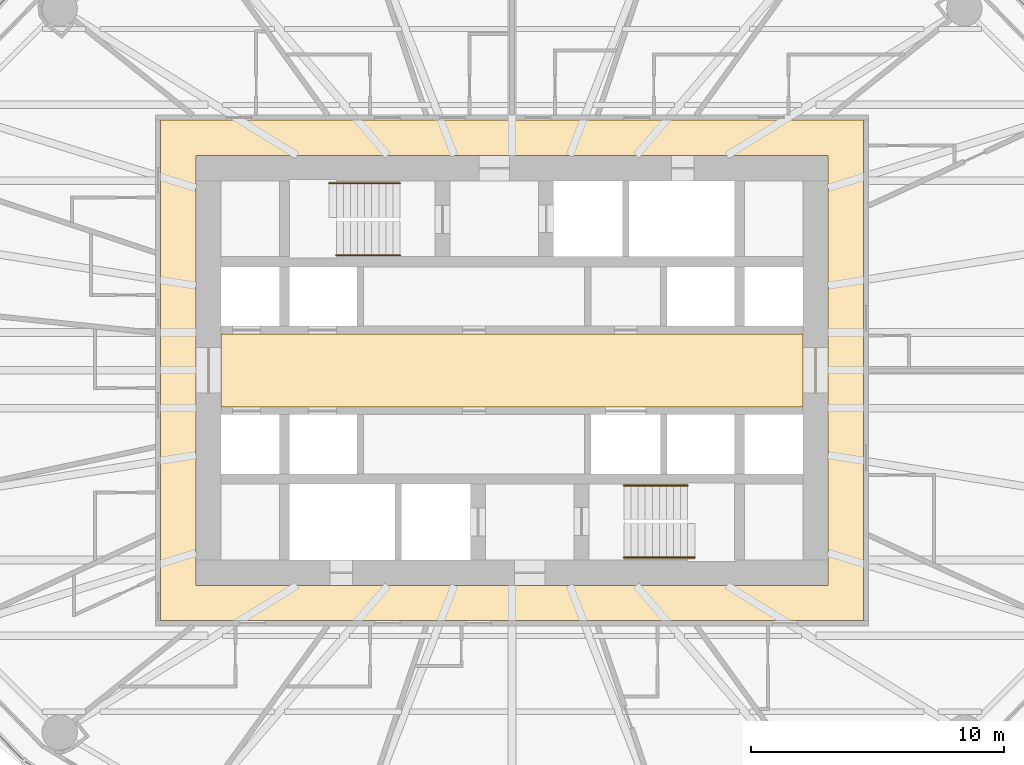
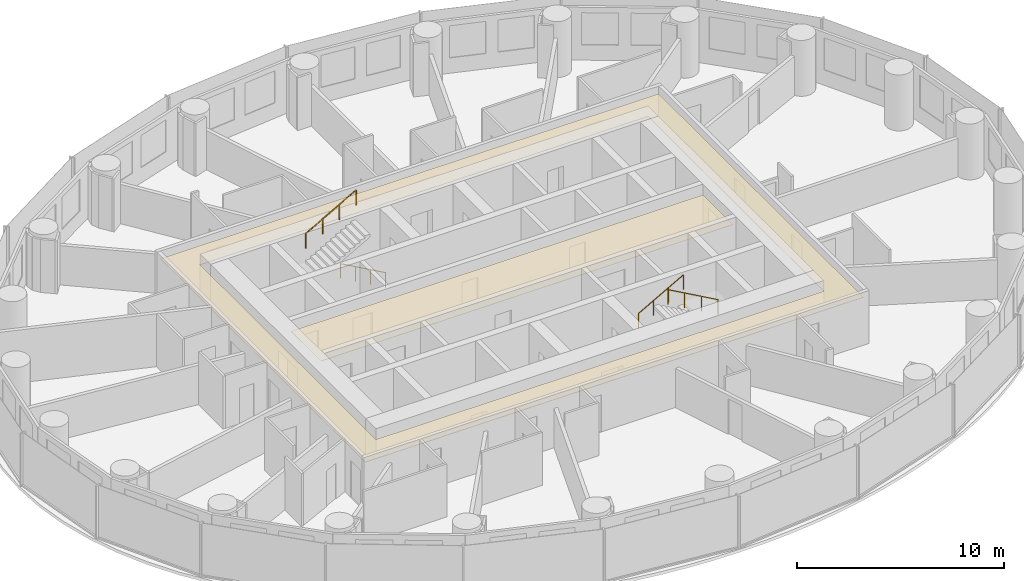
# One storey, part 13 of 13: 4 railings, 2 coverings.
"""IFC4 building model written with IfcOpenShell, lengths in metres."""

from ifc_helpers import new_model, si_unit, direction, frame, origin, origin_2d, place, context, subcontext, project, spatial, polyline, circle, outline, extrude, material, layer, layer_set, type_object, element, save


model = new_model("IFC4")

# Units and contexts
model_context = context("Model", 3, precision=1e-05, world=origin(), true_north=direction((0.0, 1.0)))
body_context = subcontext(model_context, "Body", "Model", "MODEL_VIEW")
ifc_project = project(units=[si_unit("LENGTHUNIT", "METRE"), si_unit("AREAUNIT", "SQUARE_METRE"), si_unit("VOLUMEUNIT", "CUBIC_METRE"), si_unit("PLANEANGLEUNIT", "RADIAN"), si_unit("MASSUNIT", "GRAM", prefix="KILO")], contexts=[model_context])

# Site, building, storey
site_placement = place(None, origin())
site = spatial("IfcSite", under=ifc_project, at=site_placement, CompositionType="ELEMENT")
building_placement = place(site_placement, origin())
building = spatial("IfcBuilding", under=site, at=building_placement, Name="Hankou Lantern Tower", CompositionType="ELEMENT")
storey_placement = place(building_placement, frame((0.0, 0.0, 83.699951171875)))
storey = spatial("IfcBuildingStorey", under=building, at=storey_placement, Name="L21", CompositionType="ELEMENT", Elevation=83.699951171875)

# Coverings
ifc_material_1 = material(Name="Black painted aluminium linear ceiling panels", Category="aluminium")
ifc_layer_1 = layer(ifc_material_1, 0.02490234375)
ifc_layer_set_1 = layer_set([ifc_layer_1], Name="Black painted aluminium linear ceiling panels")
covering_type_1 = type_object("IfcCoveringType", Name="CL1 CORRIDOR CEILING 25", PredefinedType="CEILING", material=ifc_layer_set_1)
covering_1_placement = place(storey_placement, frame((0.0, 0.0, 2.64501953125)))
element("IfcCovering", 1, at=covering_1_placement, inside=storey, type_object=covering_type_1, Name="Corridor ceiling L21", PredefinedType="CEILING", context=body_context, shape_type="SweptSolid", body=[
    extrude(outline(polyline([(-13.89990234375, -9.89990234375), (13.89990234375, -9.89990234375), (13.89990234375, 9.89990234375), (-13.89990234375, 9.89990234375), (-13.89990234375, -9.89990234375)]), holes=[polyline([(-12.5, 8.5), (12.5, 8.5), (12.5, -8.5), (-12.5, -8.5), (-12.5, 8.5)])]), origin(), (0.0, 0.0, 1.0), 0.025146484375),
])
ifc_material_2 = material(Name="Perforated black aluminium acoustic tray ceiling", Category="aluminium")
ifc_layer_2 = layer(ifc_material_2, 0.014892578125)
ifc_layer_set_2 = layer_set([ifc_layer_2], Name="Perforated black aluminium acoustic tray ceiling")
covering_type_2 = type_object("IfcCoveringType", Name="CL2 LIFT LOBBY CEILING 15", PredefinedType="CEILING", material=ifc_layer_set_2)
covering_2_placement = place(storey_placement, frame((0.0, 0.0, 2.655029296875)))
element("IfcCovering", 2, at=covering_2_placement, inside=storey, type_object=covering_type_2, Name="Lift lobby ceiling L21", PredefinedType="CEILING", context=body_context, shape_type="SweptSolid", body=[
    extrude(outline(polyline([(-11.5, -1.449951171875), (11.5, -1.449951171875), (11.5, 1.449951171875), (-11.5, 1.449951171875), (-11.5, -1.449951171875)])), origin(), (0.0, 0.0, 1.0), 0.01513671875),
])

# Railings
ifc_material_3 = material(Name="Steel handrail", Category="steel")
railing_type = type_object("IfcRailingType", Name="HR1 STAIR HANDRAIL", PredefinedType="HANDRAIL", material=ifc_material_3)
railing_1_placement = place(storey_placement, frame((-4.429931640625, 4.550048828125, 0.900146484375)))
element("IfcRailing", 3, at=railing_1_placement, inside=storey, type_object=railing_type, Name="Handrail stair STA L21 flight 1", PredefinedType="HANDRAIL", context=body_context, shape_type="SweptSolid", body=[
    extrude(circle(Radius=0.02392578125, at=origin_2d()), frame((0.0, 0.0, 0.8759765625), z_axis=(-0.872048945198, 0.0, 0.489418672692), x_axis=(0.0, -1.0, 0.0)), (0.0, 0.0, 1.0), 2.8896484375),
    extrude(circle(Radius=0.02099609375, at=origin_2d()), origin(), (0.0, 0.0, 1.0), 0.851806640625),
    extrude(circle(Radius=0.02099609375, at=origin_2d()), frame((-0.840087890625, 0.0, 0.471435546875)), (0.0, 0.0, 1.0), 0.851806640625),
    extrude(circle(Radius=0.02099609375, at=origin_2d()), frame((-1.679931640625, 0.0, 0.94287109375)), (0.0, 0.0, 1.0), 0.851806640625),
    extrude(circle(Radius=0.02099609375, at=origin_2d()), frame((-2.52001953125, 0.0, 1.414306640625)), (0.0, 0.0, 1.0), 0.851806640625),
])
railing_2_placement = place(storey_placement, frame((-7.22998046875, 7.39990234375, 2.471435546875)))
element("IfcRailing", 4, at=railing_2_placement, inside=storey, type_object=railing_type, Name="Handrail stair STA L21 flight 2", PredefinedType="HANDRAIL", context=body_context, shape_type="SweptSolid", body=[
    extrude(circle(Radius=0.02392578125, at=origin_2d()), frame((0.0, 0.0, 0.8759765625), z_axis=(0.872040151574, 0.0, 0.489434340891), x_axis=(0.0, 1.0, 0.0)), (0.0, 0.0, 1.0), 3.2109375),
    extrude(circle(Radius=0.02099609375, at=origin_2d()), origin(), (0.0, 0.0, 1.0), 0.851806640625),
    extrude(circle(Radius=0.02099609375, at=origin_2d()), frame((0.933349609375, 0.0, 0.52392578125)), (0.0, 0.0, 1.0), 0.851806640625),
    extrude(circle(Radius=0.02099609375, at=origin_2d()), frame((1.86669921875, 0.0, 1.047607421875)), (0.0, 0.0, 1.0), 0.851806640625),
    extrude(circle(Radius=0.02099609375, at=origin_2d()), frame((2.800048828125, 0.0, 1.571533203125)), (0.0, 0.0, 1.0), 0.851806640625),
])
railing_3_placement = place(storey_placement, frame((4.429931640625, -4.550048828125, 0.900146484375)))
element("IfcRailing", 5, at=railing_3_placement, inside=storey, type_object=railing_type, Name="Handrail stair STB L21 flight 1", PredefinedType="HANDRAIL", context=body_context, shape_type="SweptSolid", body=[
    extrude(circle(Radius=0.02392578125, at=origin_2d()), frame((0.0, 0.0, 0.8759765625), z_axis=(0.872048945198, 0.0, 0.489418672692), x_axis=(0.0, 1.0, 0.0)), (0.0, 0.0, 1.0), 2.8896484375),
    extrude(circle(Radius=0.02099609375, at=origin_2d()), origin(), (0.0, 0.0, 1.0), 0.851806640625),
    extrude(circle(Radius=0.02099609375, at=origin_2d()), frame((0.840087890625, 0.0, 0.471435546875)), (0.0, 0.0, 1.0), 0.851806640625),
    extrude(circle(Radius=0.02099609375, at=origin_2d()), frame((1.679931640625, 0.0, 0.94287109375)), (0.0, 0.0, 1.0), 0.851806640625),
    extrude(circle(Radius=0.02099609375, at=origin_2d()), frame((2.52001953125, 0.0, 1.414306640625)), (0.0, 0.0, 1.0), 0.851806640625),
])
railing_4_placement = place(storey_placement, frame((7.22998046875, -7.39990234375, 2.471435546875)))
element("IfcRailing", 6, at=railing_4_placement, inside=storey, type_object=railing_type, Name="Handrail stair STB L21 flight 2", PredefinedType="HANDRAIL", context=body_context, shape_type="SweptSolid", body=[
    extrude(circle(Radius=0.02392578125, at=origin_2d()), frame((0.0, 0.0, 0.8759765625), z_axis=(-0.872040151574, 0.0, 0.489434340891), x_axis=(0.0, -1.0, 0.0)), (0.0, 0.0, 1.0), 3.2109375),
    extrude(circle(Radius=0.02099609375, at=origin_2d()), origin(), (0.0, 0.0, 1.0), 0.851806640625),
    extrude(circle(Radius=0.02099609375, at=origin_2d()), frame((-0.933349609375, 0.0, 0.52392578125)), (0.0, 0.0, 1.0), 0.851806640625),
    extrude(circle(Radius=0.02099609375, at=origin_2d()), frame((-1.86669921875, 0.0, 1.047607421875)), (0.0, 0.0, 1.0), 0.851806640625),
    extrude(circle(Radius=0.02099609375, at=origin_2d()), frame((-2.800048828125, 0.0, 1.571533203125)), (0.0, 0.0, 1.0), 0.851806640625),
])

save(model, "model.ifc")
